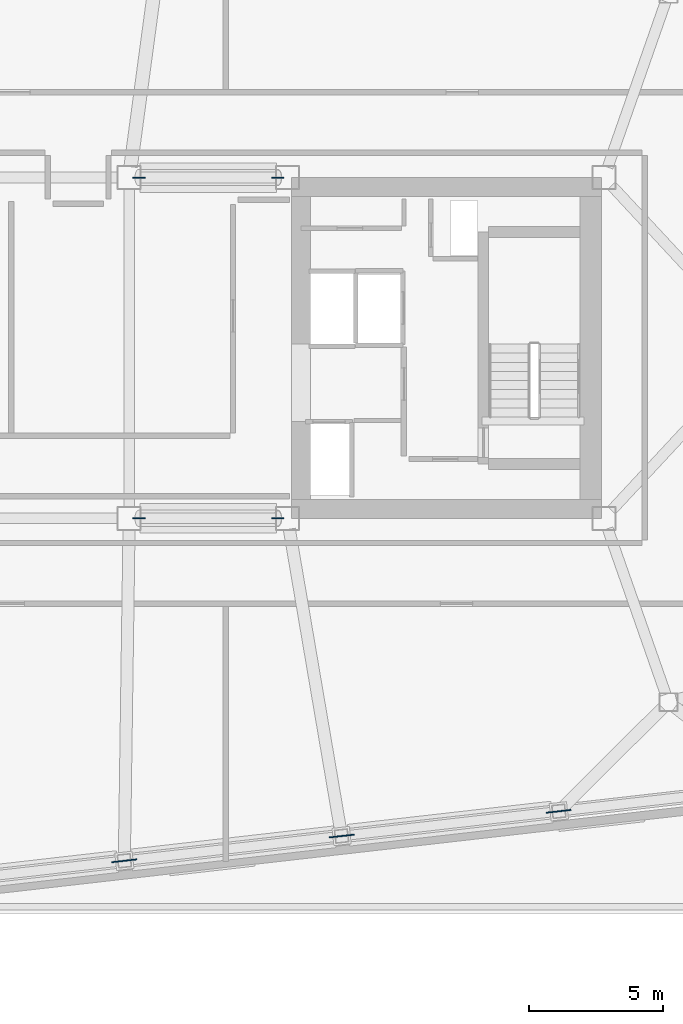
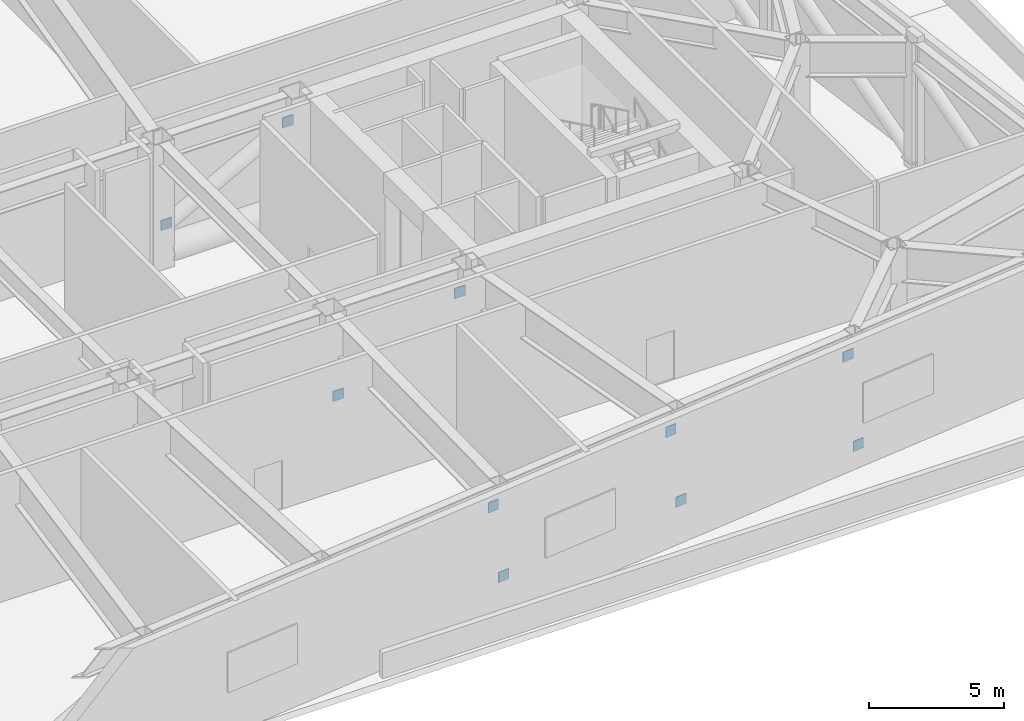
# One storey, part 10 of 13: 10 discrete accessories.
"""IFC4 building model written with IfcOpenShell, lengths in metres."""

from ifc_helpers import new_model, si_unit, direction, frame, origin, origin_2d, place, context, subcontext, project, spatial, rectangle, extrude, material, type_object, element, save


model = new_model("IFC4")

# Units and contexts
model_context = context("Model", 3, precision=1e-05, world=origin(), true_north=direction((0.0, 1.0)))
body_context = subcontext(model_context, "Body", "Model", "MODEL_VIEW")
ifc_project = project(units=[si_unit("LENGTHUNIT", "METRE"), si_unit("AREAUNIT", "SQUARE_METRE"), si_unit("VOLUMEUNIT", "CUBIC_METRE"), si_unit("PLANEANGLEUNIT", "RADIAN"), si_unit("MASSUNIT", "GRAM", prefix="KILO")], contexts=[model_context])

# Site, building, storey
site_placement = place(None, origin())
site = spatial("IfcSite", under=ifc_project, at=site_placement, CompositionType="ELEMENT")
building_placement = place(site_placement, origin())
building = spatial("IfcBuilding", under=site, at=building_placement, Name="Tavrogorsk Clinical Tower", CompositionType="ELEMENT")
storey_placement = place(building_placement, frame((0.0, 0.0, 208.199951171875)))
storey = spatial("IfcBuildingStorey", under=building, at=storey_placement, Name="L48", CompositionType="ELEMENT", Elevation=208.199951171875)

# Discrete accessories
ifc_material = material(Name="Structural steel S440", Category="steel")
discrete_accessory_type = type_object("IfcDiscreteAccessoryType", Name="GussetPlateBracket_25", PredefinedType="BRACKET", material=ifc_material)
for number, where, z_axis, x_axis, name in (
    (1, (3.985107421875, -19.139404296875, 4.457275390625), (0.0, 0.0, 1.0), (0.993571855677, 0.113203213768, 0.0), "L48 Brace Gusset Plate EXOBELT-L48-04-B"),
    (2, (4.455322265625, -19.0859375, 1.122802734375), (0.0, 0.0, 1.0), (0.993571855677, 0.113203213768, 0.0), "L48 Brace Gusset Plate EXOBELT-L48-05-A"),
    (3, (12.081298828125, -18.217041015625, 4.457275390625), (0.0, 0.0, 1.0), (0.993571855677, 0.113203213768, 0.0), "L48 Brace Gusset Plate EXOBELT-L48-05-B"),
    (4, (12.551513671875, -18.16357421875, 1.122802734375), (0.0, 0.0, 1.0), (0.993571855677, 0.113203213768, 0.0), "L48 Brace Gusset Plate EXOBELT-L48-06-A"),
    (5, (20.17724609375, -17.294677734375, 4.457275390625), (0.0, 0.0, 1.0), (0.993571855677, 0.113203213768, 0.0), "L48 Brace Gusset Plate EXOBELT-L48-06-B"),
    (6, (20.637451171875, -17.2421875, 0.243408203125), (0.0, 0.0, 1.0), (0.993571855677, 0.113203213768, 0.0), "L48 Brace Gusset Plate EXOBELT-L48-07-A"),
    (7, (4.76025390625, -6.35009765625, 1.446044921875), (0.0, 0.0, 1.0), (1.0, 0.0, 0.0), "L48 Brace Gusset Plate ORDG-L48-03-A"),
    (8, (9.93994140625, -6.35009765625, 4.26416015625), (0.0, 0.0, 1.0), (1.0, 0.0, 0.0), "L48 Brace Gusset Plate ORDG-L48-03-B"),
    (9, (4.76025390625, 6.35009765625, 1.446044921875), (0.0, 0.0, 1.0), (1.0, 0.0, 0.0), "L48 Brace Gusset Plate ORDG-L48-04-A"),
    (10, (9.93994140625, 6.35009765625, 4.26416015625), (0.0, 0.0, 1.0), (1.0, 0.0, 0.0), "L48 Brace Gusset Plate ORDG-L48-04-B"),
):
    element("IfcDiscreteAccessory", number, at=place(storey_placement, frame(where, z_axis=z_axis, x_axis=x_axis)), inside=storey, type_object=discrete_accessory_type, Name=name, PredefinedType="BRACKET", context=body_context, shape_type="SweptSolid", body=[
        extrude(rectangle(XDim=0.4599609375, YDim=0.0400390625, at=origin_2d()), origin(), (0.0, 0.0, 1.0), 0.4599609375),
    ])

save(model, "model.ifc")
